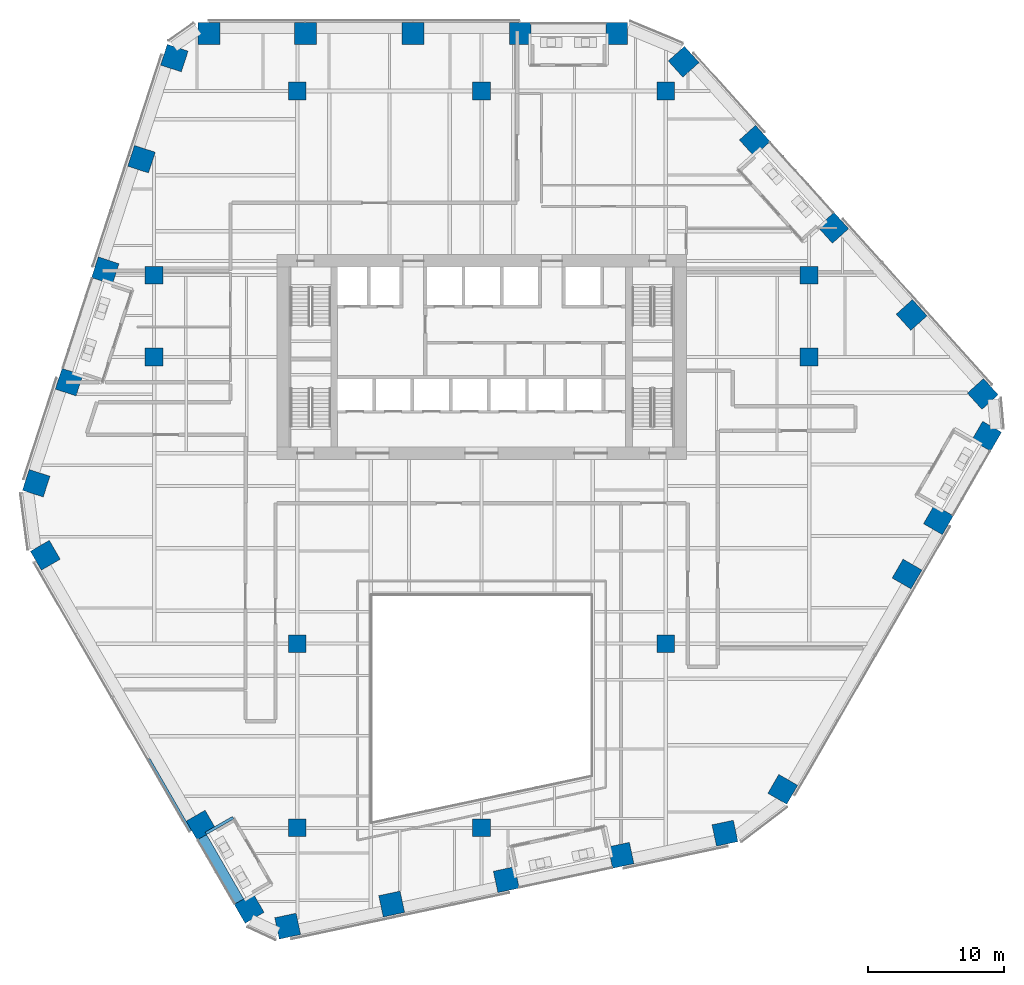
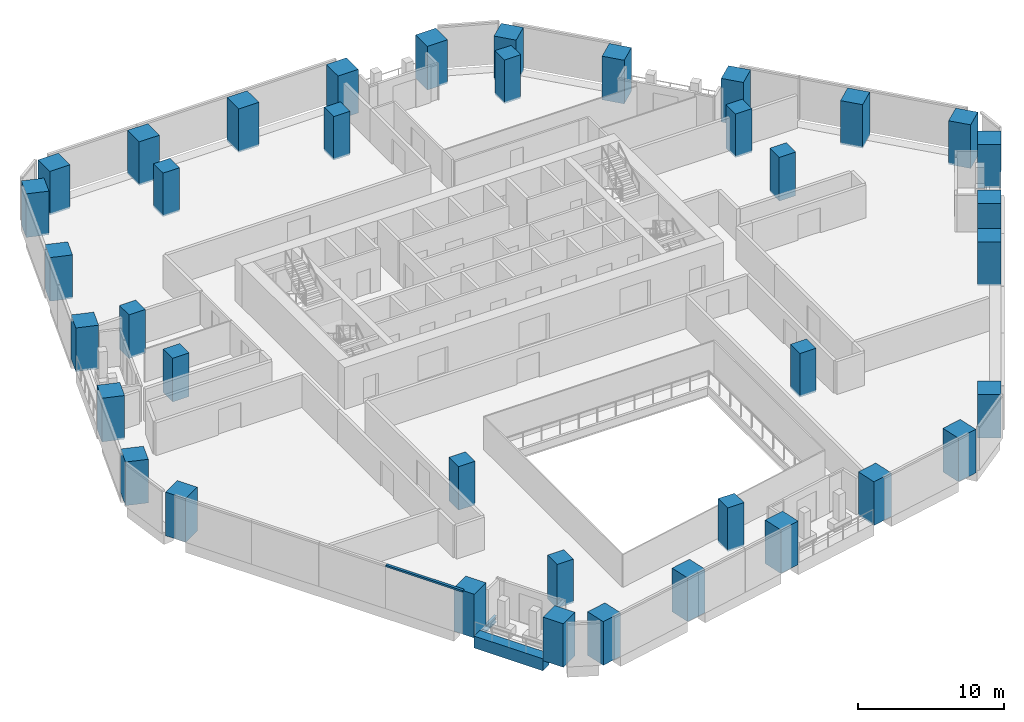
# One storey, part 1 of 28: 38 columns, 2 beams, 1 member, 1 element without a shape of its own.
"""IFC4 building model written with IfcOpenShell, lengths in metres."""

from ifc_helpers import new_model, si_unit, direction, frame, origin, origin_2d, place, context, subcontext, project, spatial, rectangle, i_section, extrude, material, layer, layer_set, material_profile, profile_set, type_object, element, aggregate, save


model = new_model("IFC4")

# Units and contexts
model_context = context("Model", 3, precision=1e-05, world=origin(), true_north=direction((0.0, 1.0)))
body_context = subcontext(model_context, "Body", "Model", "MODEL_VIEW")
ifc_project = project(units=[si_unit("LENGTHUNIT", "METRE"), si_unit("AREAUNIT", "SQUARE_METRE"), si_unit("VOLUMEUNIT", "CUBIC_METRE"), si_unit("PLANEANGLEUNIT", "RADIAN"), si_unit("MASSUNIT", "GRAM", prefix="KILO")], contexts=[model_context])

# Site, building, storey
site_placement = place(None, origin())
site = spatial("IfcSite", under=ifc_project, at=site_placement, CompositionType="ELEMENT")
building_placement = place(site_placement, origin())
building = spatial("IfcBuilding", under=site, at=building_placement, Name="Isthmus Gate Tower", CompositionType="ELEMENT")
storey_placement = place(building_placement, frame((0.0, 0.0, 84.300048828125)))
storey = spatial("IfcBuildingStorey", under=building, at=storey_placement, Name="L19", CompositionType="ELEMENT", Elevation=84.300048828125)

# Columns
ifc_material_1 = material(Name="Concrete f'c 70 MPa", Category="concrete")
ifc_material_profile_1 = material_profile(ifc_material_1, rectangle(XDim=1.300048828125, YDim=1.300048828125, at=origin_2d()), Name="RC 1300X1300")
ifc_profile_set_1 = profile_set([ifc_material_profile_1], Name="Concrete f'c 70 MPa")
column_type_1 = type_object("IfcColumnType", Name="RC INTERIOR COLUMN 1300 X 1300", PredefinedType="COLUMN", material=ifc_profile_set_1)
for number, where, z_axis, x_axis, name in (
    (1, (-24.0, 7.5, -0.150146484375), (0.0, 0.0, 1.0), (1.0, 0.0, 0.0), "str-icol-L19-ICA3"),
    (2, (-24.0, 13.5, -0.150146484375), (0.0, 0.0, 1.0), (1.0, 0.0, 0.0), "str-icol-L19-ICA4"),
    (3, (-13.5, -27.0, -0.150146484375), (0.0, 0.0, 1.0), (1.0, 0.0, 0.0), "str-icol-L19-ICB1"),
    (4, (-13.5, -13.5, -0.150146484375), (0.0, 0.0, 1.0), (1.0, 0.0, 0.0), "str-icol-L19-ICB2"),
    (5, (-13.5, 27.0, -0.150146484375), (0.0, 0.0, 1.0), (1.0, 0.0, 0.0), "str-icol-L19-ICB5"),
    (6, (0.0, -27.0, -0.150146484375), (0.0, 0.0, 1.0), (1.0, 0.0, 0.0), "str-icol-L19-ICC1"),
    (7, (0.0, 27.0, -0.150146484375), (0.0, 0.0, 1.0), (1.0, 0.0, 0.0), "str-icol-L19-ICC5"),
    (8, (13.5, -13.5, -0.150146484375), (0.0, 0.0, 1.0), (1.0, 0.0, 0.0), "str-icol-L19-ICD2"),
    (9, (13.5, 27.0, -0.150146484375), (0.0, 0.0, 1.0), (1.0, 0.0, 0.0), "str-icol-L19-ICD5"),
    (10, (24.0, 7.5, -0.150146484375), (0.0, 0.0, 1.0), (1.0, 0.0, 0.0), "str-icol-L19-ICE3"),
    (11, (24.0, 13.5, -0.150146484375), (0.0, 0.0, 1.0), (1.0, 0.0, 0.0), "str-icol-L19-ICE4"),
):
    element("IfcColumn", number, at=place(storey_placement, frame(where, z_axis=z_axis, x_axis=x_axis)), inside=storey, type_object=column_type_1, Name=name, PredefinedType="COLUMN", context=body_context, shape_type="SweptSolid", body=[
        extrude(rectangle(XDim=1.300048828125, YDim=1.300048828125, at=origin_2d()), origin(), (0.0, 0.0, 1.0), 3.650146484375),
    ])
ifc_material_2 = material(Name="Concrete f'c 70 MPa", Category="concrete")
ifc_material_profile_2 = material_profile(ifc_material_2, rectangle(XDim=1.60009765625, YDim=1.60009765625, at=origin_2d()), Name="RC 1600X1600")
ifc_profile_set_2 = profile_set([ifc_material_profile_2], Name="Concrete f'c 70 MPa")
column_type_2 = type_object("IfcColumnType", Name="RC TUBE COLUMN 1600 X 1600", PredefinedType="COLUMN", material=ifc_profile_set_2)
for number, where, z_axis, x_axis, name in (
    (12, (9.90185546875, 31.199951171875, -0.150146484375), (0.0, 0.0, 1.0), (-1.0, 0.0, 0.0), "str-tcol-L19-T1N0"),
    (13, (2.832275390625, 31.199951171875, -0.150146484375), (0.0, 0.0, 1.0), (-1.0, 0.0, 0.0), "str-tcol-L19-T1N1"),
    (14, (-5.037109375, 31.199951171875, -0.150146484375), (0.0, 0.0, 1.0), (-1.0, 0.0, 0.0), "str-tcol-L19-T1N2"),
    (15, (-12.90673828125, 31.199951171875, -0.150146484375), (0.0, 0.0, 1.0), (-1.0, 0.0, 0.0), "str-tcol-L19-T1N3"),
    (16, (-19.976318359375, 31.199951171875, -0.150146484375), (0.0, 0.0, 1.0), (-1.0, 0.0, 0.0), "str-tcol-L19-T1N4"),
    (17, (-22.515380859375, 29.406982421875, -0.150146484375), (0.0, 0.0, 1.0), (-0.309016994375, -0.951056516295, 0.0), "str-tcol-L19-T1NW0"),
    (18, (-24.922607421875, 21.998779296875, -0.150146484375), (0.0, 0.0, 1.0), (-0.309016994375, -0.951056516295, 0.0), "str-tcol-L19-T1NW1"),
    (19, (-27.57666015625, 13.829833984375, -0.150146484375), (0.0, 0.0, 1.0), (-0.309016994375, -0.951056516295, 0.0), "str-tcol-L19-T1NW2"),
    (20, (-30.23095703125, 5.660888671875, -0.150146484375), (0.0, 0.0, 1.0), (-0.309016994375, -0.951056516295, 0.0), "str-tcol-L19-T1NW3"),
    (21, (-32.63818359375, -1.747314453125, -0.150146484375), (0.0, 0.0, 1.0), (-0.309016994375, -0.951056516295, 0.0), "str-tcol-L19-T1NW4"),
    (22, (-31.970947265625, -7.024658203125, -0.150146484375), (0.0, 0.0, 1.0), (0.5, -0.866025403784, 0.0), "str-tcol-L19-T1SW0"),
    (23, (-20.5537109375, -26.800048828125, -0.150146484375), (0.0, 0.0, 1.0), (0.5, -0.866025403784, 0.0), "str-tcol-L19-T1SW2"),
    (24, (-17.031982421875, -32.89990234375, -0.150146484375), (0.0, 0.0, 1.0), (0.5, -0.866025403784, 0.0), "str-tcol-L19-T1SW3"),
    (25, (-14.20947265625, -34.202392578125, -0.150146484375), (0.0, 0.0, 1.0), (0.978147600734, 0.207911690818, 0.0), "str-tcol-L19-T1S0"),
    (26, (-6.59033203125, -32.5830078125, -0.150146484375), (0.0, 0.0, 1.0), (0.978147600734, 0.207911690818, 0.0), "str-tcol-L19-T1S1"),
    (27, (1.811279296875, -30.797119140625, -0.150146484375), (0.0, 0.0, 1.0), (0.978147600734, 0.207911690818, 0.0), "str-tcol-L19-T1S2"),
    (28, (10.213134765625, -29.01123046875, -0.150146484375), (0.0, 0.0, 1.0), (0.978147600734, 0.207911690818, 0.0), "str-tcol-L19-T1S3"),
    (29, (17.832275390625, -27.391845703125, -0.150146484375), (0.0, 0.0, 1.0), (0.978147600734, 0.207911690818, 0.0), "str-tcol-L19-T1S4"),
    (30, (22.069091796875, -24.17529296875, -0.150146484375), (0.0, 0.0, 1.0), (0.5, 0.866025403784, 0.0), "str-tcol-L19-T1SE0"),
    (31, (31.177001953125, -8.39990234375, -0.150146484375), (0.0, 0.0, 1.0), (0.5, 0.866025403784, 0.0), "str-tcol-L19-T1SE1"),
    (32, (33.473388671875, -4.42236328125, -0.150146484375), (0.0, 0.0, 1.0), (0.5, 0.866025403784, 0.0), "str-tcol-L19-T1SE2"),
    (33, (37.008056640625, 1.699951171875, -0.150146484375), (0.0, 0.0, 1.0), (0.5, 0.866025403784, 0.0), "str-tcol-L19-T1SE3"),
    (34, (36.724853515625, 4.79541015625, -0.150146484375), (0.0, 0.0, 1.0), (-0.669130606359, 0.743144825477, 0.0), "str-tcol-L19-T1NE0"),
    (35, (31.5126953125, 10.584228515625, -0.150146484375), (0.0, 0.0, 1.0), (-0.669130606359, 0.743144825477, 0.0), "str-tcol-L19-T1NE1"),
    (36, (25.765380859375, 16.96728515625, -0.150146484375), (0.0, 0.0, 1.0), (-0.669130606359, 0.743144825477, 0.0), "str-tcol-L19-T1NE2"),
    (37, (20.01806640625, 23.350341796875, -0.150146484375), (0.0, 0.0, 1.0), (-0.669130606359, 0.743144825477, 0.0), "str-tcol-L19-T1NE3"),
    (38, (14.805908203125, 29.138916015625, -0.150146484375), (0.0, 0.0, 1.0), (-0.669130606359, 0.743144825477, 0.0), "str-tcol-L19-T1NE4"),
):
    element("IfcColumn", number, at=place(storey_placement, frame(where, z_axis=z_axis, x_axis=x_axis)), inside=storey, type_object=column_type_2, Name=name, PredefinedType="COLUMN", context=body_context, shape_type="SweptSolid", body=[
        extrude(rectangle(XDim=1.60009765625, YDim=1.60009765625, at=origin_2d()), origin(), (0.0, 0.0, 1.0), 3.650146484375),
    ])

# Curtain wall, member
ifc_material_3 = material(Name="Aluminium, pale champagne anodised", Category="aluminium")
ifc_layer = layer(ifc_material_3, 0.199951171875)
ifc_layer_set = layer_set([ifc_layer], Name="CW-1 UNITISED CURTAIN WALL 200 DEEP")
curtain_wall_type = type_object("IfcCurtainWallType", Name="CW-1 UNITISED CURTAIN WALL 200 DEEP", PredefinedType="NOTDEFINED", material=ifc_layer_set)
curtain_wall_placement = place(storey_placement, origin())
curtain_wall = element("IfcCurtainWall", 39, at=curtain_wall_placement, inside=storey, type_object=curtain_wall_type, Name="CW-1 SW L19", PredefinedType="NOTDEFINED")
ifc_material_4 = material(Name="Aluminium, pale champagne anodised", Category="aluminium")
ifc_material_profile_3 = material_profile(ifc_material_4, rectangle(XDim=0.199951171875, YDim=0.14990234375, at=origin_2d()), Name="200x150")
ifc_profile_set_3 = profile_set([ifc_material_profile_3], Name="Aluminium, pale champagne anodised")
member_type = type_object("IfcMemberType", Name="CW-1 TRANSOM 200 X 150", PredefinedType="USERDEFINED", material=ifc_profile_set_3)
member_placement = place(storey_placement, frame((-24.387451171875, -21.959716796875, 3.574951171875), z_axis=(0.500011900272, -0.86601853305, 0.0), x_axis=(0.86601853305, 0.500011900272, 0.0)))
member = element("IfcMember", 40, at=member_placement, type_object=member_type, Name="CW-1 transom", ObjectType="TRANSOM", PredefinedType="USERDEFINED", context=body_context, shape_type="SweptSolid", body=[
    extrude(rectangle(XDim=0.199951171875, YDim=0.14990234375, at=origin_2d()), origin(), (0.0, 0.0, 1.0), 6.108642578125),
])
aggregate(curtain_wall, [member])

# Beams
ifc_material_5 = material(Name="Concrete f'c 70 MPa", Category="concrete")
ifc_material_profile_4 = material_profile(ifc_material_5, rectangle(XDim=0.800048828125, YDim=1.0, at=origin_2d()), Name="RC 800X1000")
ifc_profile_set_4 = profile_set([ifc_material_profile_4], Name="Concrete f'c 70 MPa")
beam_type_1 = type_object("IfcBeamType", Name="RC SPANDREL 800 X 1000", PredefinedType="SPANDREL", material=ifc_profile_set_4)
beam_1_placement = place(storey_placement, frame((-17.7783203125, -32.406982421875, -0.5), z_axis=(-0.499998104561, 0.866026498114, 0.0), x_axis=(-0.866026498114, -0.499998104561, 0.0)))
element("IfcBeam", 41, at=beam_1_placement, inside=storey, type_object=beam_type_1, Name="str-spandrel-L19-15", PredefinedType="SPANDREL", context=body_context, shape_type="SweptSolid", body=[
    extrude(rectangle(XDim=0.800048828125, YDim=1.0, at=origin_2d()), origin(), (0.0, 0.0, 1.0), 5.443359375),
])
ifc_material_6 = material(Name="Structural steel ASTM A992 Gr 50", Category="steel")
ifc_material_profile_5 = material_profile(ifc_material_6, i_section(OverallWidth=0.20947265625, OverallDepth=0.533447265625, WebThickness=0.009521484375, FlangeThickness=0.015869140625, at=origin_2d()), Name="W21X62")
ifc_profile_set_5 = profile_set([ifc_material_profile_5], Name="Structural steel ASTM A992 Gr 50")
beam_type_2 = type_object("IfcBeamType", Name="STEEL TRIMMER W21X62", PredefinedType="BEAM", material=ifc_profile_set_5)
beam_2_placement = place(storey_placement, frame((-20.2060546875, -27.402099609375, -0.416748046875), z_axis=(0.866044474677, 0.49996696679, 0.0), x_axis=(-0.49996696679, 0.866044474677, 0.0)))
element("IfcBeam", 42, at=beam_2_placement, inside=storey, type_object=beam_type_2, Name="str-loggiatrim-L19-03-A", PredefinedType="BEAM", context=body_context, shape_type="SweptSolid", body=[
    extrude(i_section(OverallWidth=0.20947265625, OverallDepth=0.533447265625, WebThickness=0.009521484375, FlangeThickness=0.015869140625, at=origin_2d()), origin(), (0.0, 0.0, 1.0), 2.304931640625),
])

save(model, "model.ifc")
